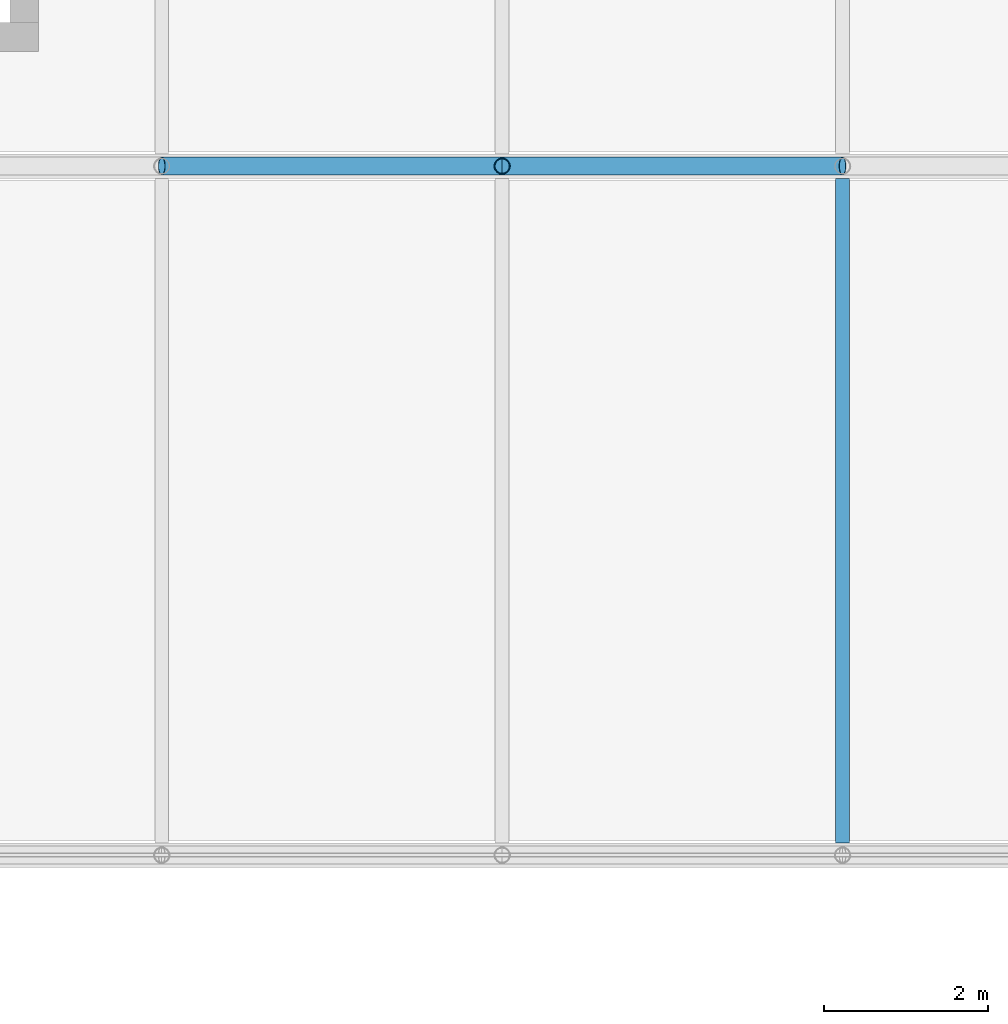
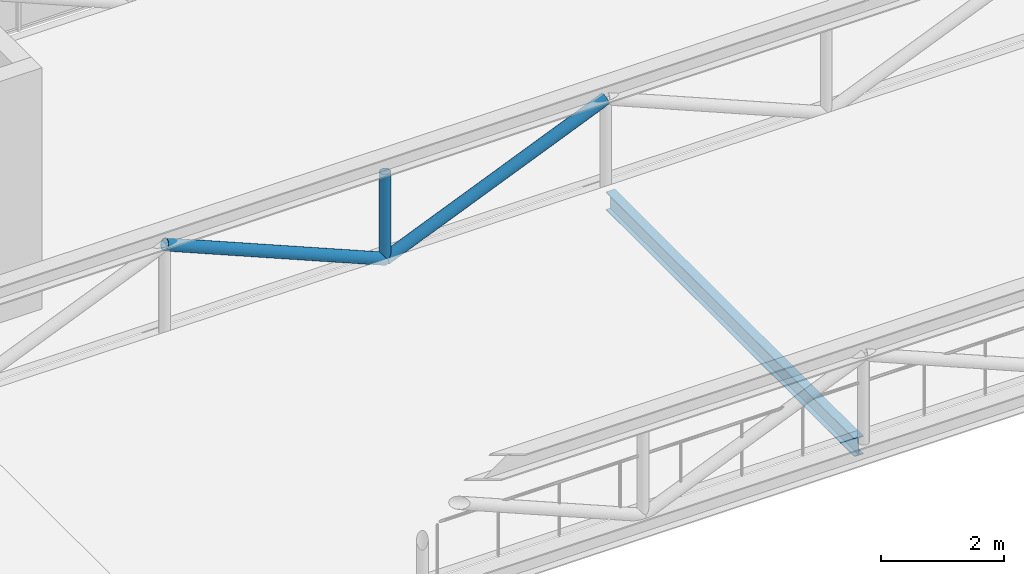
# One storey, part 32 of 76: 3 members, 1 beam.
"""IFC4 building model written with IfcOpenShell, lengths in metres."""

from ifc_helpers import new_model, si_unit, direction, frame, origin, origin_2d, place, context, subcontext, project, spatial, hollow_circle, i_section, extrude, material, material_profile, profile_set, type_object, element, save


model = new_model("IFC4")

# Units and contexts
model_context = context("Model", 3, precision=1e-05, world=origin(), true_north=direction((0.0, 1.0)))
body_context = subcontext(model_context, "Body", "Model", "MODEL_VIEW")
ifc_project = project(units=[si_unit("LENGTHUNIT", "METRE"), si_unit("AREAUNIT", "SQUARE_METRE"), si_unit("VOLUMEUNIT", "CUBIC_METRE"), si_unit("PLANEANGLEUNIT", "RADIAN"), si_unit("MASSUNIT", "GRAM", prefix="KILO")], contexts=[model_context])

# Site, building, storey
site_placement = place(None, origin())
site = spatial("IfcSite", under=ifc_project, at=site_placement, CompositionType="ELEMENT")
building_placement = place(site_placement, origin())
building = spatial("IfcBuilding", under=site, at=building_placement, Name="Sava Quay Ferry Terminal", CompositionType="ELEMENT")
storey_placement = place(building_placement, frame((0.0, 0.0, 6.0)))
storey = spatial("IfcBuildingStorey", under=building, at=storey_placement, Name="L01", CompositionType="ELEMENT", Elevation=6.0)

# Beam
ifc_material_1 = material(Name="Steel S355", Category="steel")
ifc_material_profile_1 = material_profile(ifc_material_1, i_section(OverallWidth=0.169921875, OverallDepth=0.360107421875, WebThickness=0.008056640625, FlangeThickness=0.0126953125, at=origin_2d()), Name="IPE 360")
ifc_profile_set_1 = profile_set([ifc_material_profile_1], Name="Steel S355")
beam_type = type_object("IfcBeamType", Name="Beam IPE 360", PredefinedType="BEAM", material=ifc_profile_set_1)
beam_placement = place(storey_placement, frame((63.0, 84.14990234375, -0.31005859375), z_axis=(0.0, 1.0, 0.0), x_axis=(-1.0, 0.0, 0.0)))
element("IfcBeam", 1, at=beam_placement, inside=storey, type_object=beam_type, Name="Truss floor beam", PredefinedType="BEAM", context=body_context, shape_type="SweptSolid", body=[
    extrude(i_section(OverallWidth=0.169921875, OverallDepth=0.360107421875, WebThickness=0.008056640625, FlangeThickness=0.0126953125, at=origin_2d()), origin(), (0.0, 0.0, 1.0), 8.10009765625),
])

# Members
ifc_material_2 = material(Name="Steel S355", Category="steel")
ifc_material_profile_2 = material_profile(ifc_material_2, hollow_circle(Radius=0.096923828125, WallThickness=0.008056640625, at=origin_2d()), Name="CHS 193.7 x 8")
ifc_profile_set_2 = profile_set([ifc_material_profile_2], Name="Steel S355")
member_type_1 = type_object("IfcMemberType", Name="Brace CHS 193.7 x 8", PredefinedType="BRACE", material=ifc_profile_set_2)
member_1_placement = place(storey_placement, frame((58.85009765625, 92.39990234375, -0.1298828125), z_axis=(0.0, 0.0, 1.0), x_axis=(1.0, 0.0, 0.0)))
element("IfcMember", 2, at=member_1_placement, inside=storey, type_object=member_type_1, Name="Truss post 92.4", PredefinedType="BRACE", context=body_context, shape_type="SweptSolid", body=[
    extrude(hollow_circle(Radius=0.096923828125, WallThickness=0.008056640625, at=origin_2d()), origin(), (0.0, 0.0, 1.0), 1.739990234375),
])
ifc_material_3 = material(Name="Steel S355", Category="steel")
ifc_material_profile_3 = material_profile(ifc_material_3, hollow_circle(Radius=0.109619140625, WallThickness=0.010009765625, at=origin_2d()), Name="CHS 219.1 x 10")
ifc_profile_set_3 = profile_set([ifc_material_profile_3], Name="Steel S355")
member_type_2 = type_object("IfcMemberType", Name="Brace CHS 219.1 x 10", PredefinedType="BRACE", material=ifc_profile_set_3)
member_2_placement = place(storey_placement, frame((58.85009765625, 92.39990234375, -0.1298828125), z_axis=(-0.922225585588, 0.0, 0.386652258867), x_axis=(0.0, -1.0, 0.0)))
element("IfcMember", 3, at=member_2_placement, inside=storey, type_object=member_type_2, Name="Truss diagonal 92.4", PredefinedType="BRACE", context=body_context, shape_type="SweptSolid", body=[
    extrude(hollow_circle(Radius=0.109619140625, WallThickness=0.010009765625, at=origin_2d()), origin(), (0.0, 0.0, 1.0), 4.500244140625),
])
member_3_placement = place(storey_placement, frame((58.85009765625, 92.39990234375, -0.1298828125), z_axis=(0.922217474343, 0.0, 0.386671604874), x_axis=(0.0, 1.0, 0.0)))
element("IfcMember", 4, at=member_3_placement, inside=storey, type_object=member_type_2, Name="Truss diagonal 92.4", PredefinedType="BRACE", context=body_context, shape_type="SweptSolid", body=[
    extrude(hollow_circle(Radius=0.109619140625, WallThickness=0.010009765625, at=origin_2d()), origin(), (0.0, 0.0, 1.0), 4.5),
])

save(model, "model.ifc")
